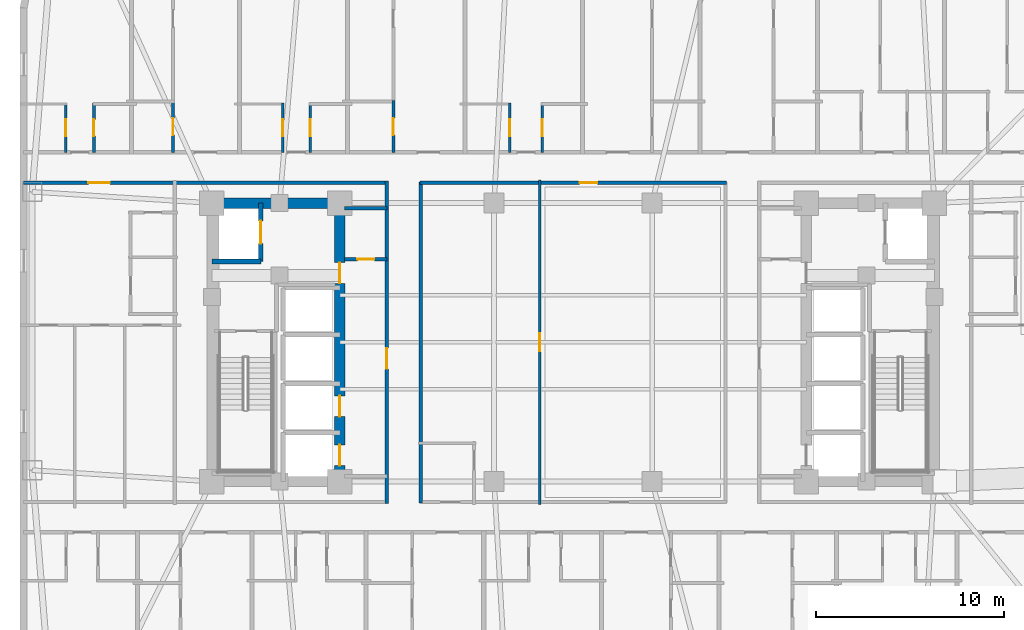
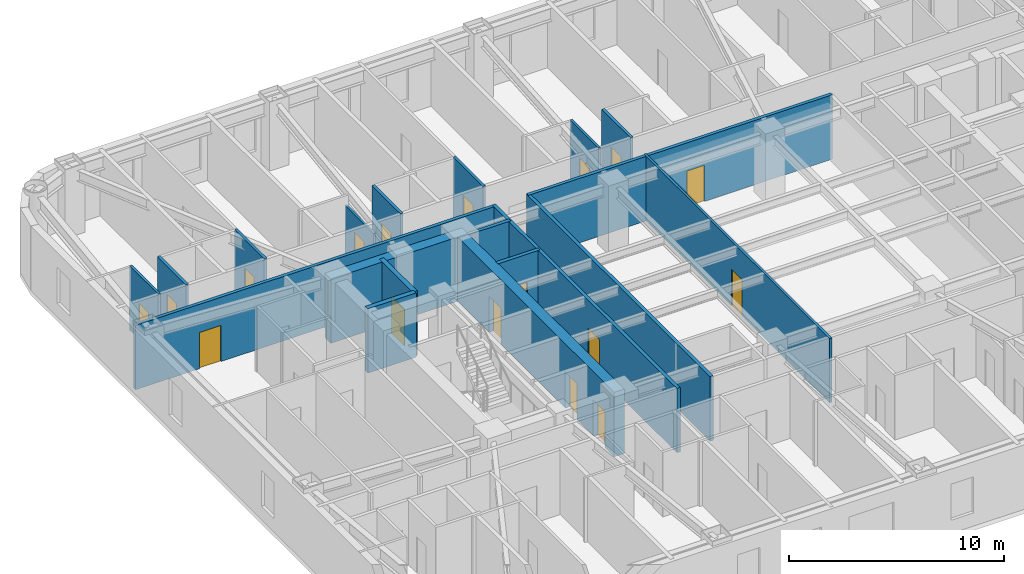
# One storey, part 5 of 13: 19 walls, 17 doors, 17 openings.
"""IFC4 building model written with IfcOpenShell, lengths in metres."""

from ifc_helpers import new_model, si_unit, direction, frame, frame_2d, origin, place, context, subcontext, project, spatial, rectangle, extrude, material, layer, layer_set, type_object, element, fill, save


model = new_model("IFC4")

# Units and contexts
model_context = context("Model", 3, precision=1e-05, world=origin(), true_north=direction((0.0, 1.0)))
body_context = subcontext(model_context, "Body", "Model", "MODEL_VIEW")
ifc_project = project(units=[si_unit("LENGTHUNIT", "METRE"), si_unit("AREAUNIT", "SQUARE_METRE"), si_unit("VOLUMEUNIT", "CUBIC_METRE"), si_unit("PLANEANGLEUNIT", "RADIAN"), si_unit("MASSUNIT", "GRAM", prefix="KILO")], contexts=[model_context])

# Site, building, storey
site_placement = place(None, origin())
site = spatial("IfcSite", under=ifc_project, at=site_placement, CompositionType="ELEMENT")
building_placement = place(site_placement, origin())
building = spatial("IfcBuilding", under=site, at=building_placement, Name="Voryun Gate Residences", CompositionType="ELEMENT")
storey_placement = place(building_placement, frame((0.0, 0.0, 124.800048828125)))
storey = spatial("IfcBuildingStorey", under=building, at=storey_placement, Name="L30", CompositionType="ELEMENT", Elevation=124.800048828125)

# Wall
ifc_material_1 = material(Name="Concrete C60/75", Category="concrete")
ifc_layer_1 = layer(ifc_material_1, 0.550048828125, Name="CW_CORE_550")
ifc_layer_set_1 = layer_set([ifc_layer_1], Name="Concrete C60/75")
wall_type_1 = type_object("IfcWallType", Name="CW_CORE_550", PredefinedType="SHEAR", material=ifc_layer_set_1)
wall_1_placement = place(storey_placement, frame((-19.47509765625, 7.39990234375, 0.0), z_axis=(0.0, 0.0, 1.0), x_axis=(1.0, 0.0, 0.0)))
element("IfcWall", 1, at=wall_1_placement, inside=storey, type_object=wall_type_1, Name="L30 Core shear wall CW-L30-WN", PredefinedType="SHEAR", context=body_context, shape_type="SweptSolid", body=[
    extrude(rectangle(XDim=7.35009765625, YDim=0.550048828125, at=frame_2d((3.675048828125, 0.0))), origin(), (0.0, 0.0, 1.0), 3.64990234375),
])

# Wall, openings, doors
wall_2_placement = place(storey_placement, frame((-12.39990234375, -7.39990234375, 0.0), z_axis=(0.0, 0.0, 1.0), x_axis=(0.0, 1.0, 0.0)))
wall_2 = element("IfcWall", 2, at=wall_2_placement, inside=storey, type_object=wall_type_1, Name="L30 Core shear wall CW-L30-WE", PredefinedType="SHEAR", context=body_context, shape_type="SweptSolid", body=[
    extrude(rectangle(XDim=14.7998046875, YDim=0.550048828125, at=frame_2d((7.39990234375, 0.0))), origin(), (0.0, 0.0, 1.0), 3.64990234375),
])
opening_1_placement = place(wall_2_placement, frame((0.85009765625, 0.0, 0.0)))
opening_1 = element("IfcOpeningElement", 3, at=opening_1_placement, cuts=wall_2, Name="Opening LD2", PredefinedType="OPENING", context=body_context, shape_type="SweptSolid", body=[
    extrude(rectangle(XDim=1.10009765625, YDim=2.050048828125, at=frame_2d((0.550048828125, 1.02490234375))), frame((0.0, 0.284912109375, 0.0), z_axis=(0.0, -1.0, 0.0), x_axis=(1.0, 0.0, 0.0)), (0.0, 0.0, 1.0), 0.570068359375),
])
opening_2_placement = place(wall_2_placement, frame((3.449951171875, 0.0, 0.0)))
opening_2 = element("IfcOpeningElement", 4, at=opening_2_placement, cuts=wall_2, Name="Opening LD2", PredefinedType="OPENING", context=body_context, shape_type="SweptSolid", body=[
    extrude(rectangle(XDim=1.10009765625, YDim=2.050048828125, at=frame_2d((0.550048828125, 1.02490234375))), frame((0.0, 0.284912109375, 0.0), z_axis=(0.0, -1.0, 0.0), x_axis=(1.0, 0.0, 0.0)), (0.0, 0.0, 1.0), 0.570068359375),
])
opening_3_placement = place(wall_2_placement, frame((10.530029296875, 0.0, 0.0)))
opening_3 = element("IfcOpeningElement", 5, at=opening_3_placement, cuts=wall_2, Name="Opening D-FD60-2", PredefinedType="OPENING", context=body_context, shape_type="SweptSolid", body=[
    extrude(rectangle(XDim=1.10009765625, YDim=2.050048828125, at=frame_2d((0.550048828125, 1.02490234375))), frame((0.0, 0.284912109375, 0.0), z_axis=(0.0, -1.0, 0.0), x_axis=(1.0, 0.0, 0.0)), (0.0, 0.0, 1.0), 0.570068359375),
])
ifc_material_2 = material(Name="Painted steel fire door", Category="steel")
door_type_1 = type_object("IfcDoorType", Name="DR_FD60_FFLOB_1100", OperationType="NOTDEFINED", PredefinedType="DOOR", material=ifc_material_2)
door_1_placement = place(opening_3_placement, origin())
door_1 = element("IfcDoor", 6, at=door_1_placement, inside=storey, type_object=door_type_1, Name="Door DR-L30-CLOB-W", OperationType="SINGLE_SWING_LEFT", OverallHeight=2.050048828125, OverallWidth=1.10009765625, PredefinedType="DOOR", context=body_context, shape_type="SweptSolid", body=[
    extrude(rectangle(XDim=1.10009765625, YDim=2.050048828125, at=frame_2d((0.550048828125, 1.02490234375))), frame((0.0, 0.02490234375, 0.0), z_axis=(0.0, -1.0, 0.0), x_axis=(1.0, 0.0, 0.0)), (0.0, 0.0, 1.0), 0.050048828125),
])
fill(opening_3, door_1)
ifc_material_3 = material(Name="Anodised aluminium", Category="aluminium")
door_type_2 = type_object("IfcDoorType", Name="DR_LD_PASS_1100", OperationType="NOTDEFINED", PredefinedType="DOOR", material=ifc_material_3)
door_2_placement = place(opening_1_placement, origin())
door_2 = element("IfcDoor", 7, at=door_2_placement, inside=storey, type_object=door_type_2, Name="Lift EL-P1 sliding landing door L30", OperationType="SLIDING_TO_LEFT", OverallHeight=2.050048828125, OverallWidth=1.10009765625, PredefinedType="DOOR", context=body_context, shape_type="SweptSolid", body=[
    extrude(rectangle(XDim=1.10009765625, YDim=2.050048828125, at=frame_2d((0.550048828125, 1.02490234375))), frame((0.0, 0.02490234375, 0.0), z_axis=(0.0, -1.0, 0.0), x_axis=(1.0, 0.0, 0.0)), (0.0, 0.0, 1.0), 0.050048828125),
])
fill(opening_1, door_2)
door_3_placement = place(opening_2_placement, origin())
door_3 = element("IfcDoor", 8, at=door_3_placement, inside=storey, type_object=door_type_2, Name="Lift EL-P2 sliding landing door L30", OperationType="SLIDING_TO_LEFT", OverallHeight=2.050048828125, OverallWidth=1.10009765625, PredefinedType="DOOR", context=body_context, shape_type="SweptSolid", body=[
    extrude(rectangle(XDim=1.10009765625, YDim=2.050048828125, at=frame_2d((0.550048828125, 1.02490234375))), frame((0.0, 0.02490234375, 0.0), z_axis=(0.0, -1.0, 0.0), x_axis=(1.0, 0.0, 0.0)), (0.0, 0.0, 1.0), 0.050048828125),
])
fill(opening_2, door_3)

# Wall
ifc_material_4 = material(Name="Gypsum acoustic fireboard")
ifc_layer_2 = layer(ifc_material_4, 0.179931640625, Name="W_CORR_RATED_180")
ifc_layer_set_2 = layer_set([ifc_layer_2], Name="Gypsum acoustic fireboard")
wall_type_2 = type_object("IfcWallType", Name="W_CORR_RATED_180", PredefinedType="PARTITIONING", material=ifc_layer_set_2)
wall_3_placement = place(storey_placement, frame((-12.14990234375, 7.1201171875, 0.0), z_axis=(0.0, 0.0, 1.0), x_axis=(1.0, 0.0, 0.0)))
element("IfcWall", 9, at=wall_3_placement, inside=storey, type_object=wall_type_2, Name="Partition wall WP-L30-PLBN-W", PredefinedType="PARTITIONING", context=body_context, shape_type="SweptSolid", body=[
    extrude(rectangle(XDim=2.27001953125, YDim=0.179931640625, at=frame_2d((1.135009765625, 0.0))), origin(), (0.0, 0.0, 1.0), 3.64990234375),
])

# Wall, opening, door
wall_4_placement = place(storey_placement, frame((-9.89990234375, -8.580078125, 0.0), z_axis=(0.0, 0.0, 1.0), x_axis=(0.0, 1.0, 0.0)))
wall_4 = element("IfcWall", 10, at=wall_4_placement, inside=storey, type_object=wall_type_2, Name="Partition wall WP-L30-PLBW-FULL", PredefinedType="PARTITIONING", context=body_context, shape_type="SweptSolid", body=[
    extrude(rectangle(XDim=17.16015625, YDim=0.179931640625, at=frame_2d((8.580078125, 0.0))), origin(), (0.0, 0.0, 1.0), 3.64990234375),
])
opening_4_placement = place(wall_4_placement, frame((7.172119140625, 0.0, 0.0)))
opening_4 = element("IfcOpeningElement", 11, at=opening_4_placement, cuts=wall_4, Name="Opening D-FD60-2", PredefinedType="OPENING", context=body_context, shape_type="SweptSolid", body=[
    extrude(rectangle(XDim=1.10009765625, YDim=2.050048828125, at=frame_2d((0.550048828125, 1.02490234375))), frame((0.0, 0.099853515625, 0.0), z_axis=(0.0, -1.0, 0.0), x_axis=(1.0, 0.0, 0.0)), (0.0, 0.0, 1.0), 0.199951171875),
])
door_4_placement = place(opening_4_placement, origin())
door_4 = element("IfcDoor", 12, at=door_4_placement, inside=storey, type_object=door_type_1, Name="Door DR-L30-PLBW-COR", OperationType="SINGLE_SWING_LEFT", OverallHeight=2.050048828125, OverallWidth=1.10009765625, PredefinedType="DOOR", context=body_context, shape_type="SweptSolid", body=[
    extrude(rectangle(XDim=1.10009765625, YDim=2.050048828125, at=frame_2d((0.550048828125, 1.02490234375))), frame((0.0, 0.02490234375, 0.0), z_axis=(0.0, -1.0, 0.0), x_axis=(1.0, 0.0, 0.0)), (0.0, 0.0, 1.0), 0.050048828125),
])
fill(opening_4, door_4)

wall_5_placement = place(storey_placement, frame((-29.2099609375, 8.489990234375, 0.0), z_axis=(0.0, 0.0, 1.0), x_axis=(1.0, 0.0, 0.0)))
wall_5 = element("IfcWall", 13, at=wall_5_placement, inside=storey, type_object=wall_type_2, Name="Partition wall WP-L30-CWING-WN", PredefinedType="PARTITIONING", context=body_context, shape_type="SweptSolid", body=[
    extrude(rectangle(XDim=19.330078125, YDim=0.179931640625, at=frame_2d((9.6650390625, 0.0))), origin(), (0.0, 0.0, 1.0), 3.64990234375),
])
opening_5_placement = place(wall_5_placement, frame((3.439697265625, 0.0, 0.0)))
opening_5 = element("IfcOpeningElement", 14, at=opening_5_placement, cuts=wall_5, Name="Opening D-UNIT-1", PredefinedType="OPENING", context=body_context, shape_type="SweptSolid", body=[
    extrude(rectangle(XDim=1.14990234375, YDim=2.050048828125, at=frame_2d((0.574951171875, 1.02490234375))), frame((0.0, 0.099853515625, 0.0), z_axis=(0.0, -1.0, 0.0), x_axis=(1.0, 0.0, 0.0)), (0.0, 0.0, 1.0), 0.199951171875),
])
ifc_material_5 = material(Name="Armoured timber-clad fire door", Category="wood")
door_type_3 = type_object("IfcDoorType", Name="DR_UNIT_ENTRY_1150", OperationType="NOTDEFINED", PredefinedType="DOOR", material=ifc_material_5)
door_5_placement = place(opening_5_placement, origin())
door_5 = element("IfcDoor", 15, at=door_5_placement, inside=storey, type_object=door_type_3, Name="Door DR-L30-WE1N", OperationType="SINGLE_SWING_LEFT", OverallHeight=2.050048828125, OverallWidth=1.14990234375, PredefinedType="DOOR", context=body_context, shape_type="SweptSolid", body=[
    extrude(rectangle(XDim=1.14990234375, YDim=2.050048828125, at=frame_2d((0.574951171875, 1.02490234375))), frame((0.0, 0.02490234375, 0.0), z_axis=(0.0, -1.0, 0.0), x_axis=(1.0, 0.0, 0.0)), (0.0, 0.0, 1.0), 0.050048828125),
])
fill(opening_5, door_5)

wall_6_placement = place(storey_placement, frame((-8.14990234375, 8.489990234375, 0.0), z_axis=(0.0, 0.0, 1.0), x_axis=(1.0, 0.0, 0.0)))
wall_6 = element("IfcWall", 16, at=wall_6_placement, inside=storey, type_object=wall_type_2, Name="Partition wall WP-L30-Z1N", PredefinedType="PARTITIONING", context=body_context, shape_type="SweptSolid", body=[
    extrude(rectangle(XDim=16.2998046875, YDim=0.179931640625, at=frame_2d((8.14990234375, 0.0))), origin(), (0.0, 0.0, 1.0), 3.64990234375),
])
opening_6_placement = place(wall_6_placement, frame((8.489990234375, 0.0, 0.0)))
opening_6 = element("IfcOpeningElement", 17, at=opening_6_placement, cuts=wall_6, Name="Opening D-INT-1", PredefinedType="OPENING", context=body_context, shape_type="SweptSolid", body=[
    extrude(rectangle(XDim=0.949951171875, YDim=2.050048828125, at=frame_2d((0.47509765625, 1.02490234375))), frame((0.0, 0.099853515625, 0.0), z_axis=(0.0, -1.0, 0.0), x_axis=(1.0, 0.0, 0.0)), (0.0, 0.0, 1.0), 0.199951171875),
])
ifc_material_6 = material(Name="Architectural oak veneer")
door_type_4 = type_object("IfcDoorType", Name="DR_INT_ROOM_950", OperationType="NOTDEFINED", PredefinedType="DOOR", material=ifc_material_6)
door_6_placement = place(opening_6_placement, origin())
door_6 = element("IfcDoor", 18, at=door_6_placement, inside=storey, type_object=door_type_4, Name="Door DR-L30-CMIDZ1N", OperationType="SINGLE_SWING_LEFT", OverallHeight=2.050048828125, OverallWidth=0.949951171875, PredefinedType="DOOR", context=body_context, shape_type="SweptSolid", body=[
    extrude(rectangle(XDim=0.949951171875, YDim=2.050048828125, at=frame_2d((0.47509765625, 1.02490234375))), frame((0.0, 0.02490234375, 0.0), z_axis=(0.0, -1.0, 0.0), x_axis=(1.0, 0.0, 0.0)), (0.0, 0.0, 1.0), 0.050048828125),
])
fill(opening_6, door_6)

# Wall
wall_7_placement = place(storey_placement, frame((-8.10009765625, -8.530029296875, 0.0), z_axis=(0.0, 0.0, 1.0), x_axis=(0.0, 1.0, 0.0)))
element("IfcWall", 19, at=wall_7_placement, inside=storey, type_object=wall_type_2, Name="Partition wall WP-L30-Z1W", PredefinedType="PARTITIONING", context=body_context, shape_type="SweptSolid", body=[
    extrude(rectangle(XDim=17.06005859375, YDim=0.179931640625, at=frame_2d((8.530029296875, 0.0))), origin(), (0.0, 0.0, 1.0), 3.64990234375),
])

# Wall, opening, door
ifc_material_7 = material(Name="Concrete C40/50", Category="concrete")
ifc_layer_3 = layer(ifc_material_7, 0.199951171875, Name="W_FF_LOBBY_200")
ifc_layer_set_3 = layer_set([ifc_layer_3], Name="Concrete C40/50")
wall_type_3 = type_object("IfcWallType", Name="W_FF_LOBBY_200", PredefinedType="PARTITIONING", material=ifc_layer_set_3)
wall_8_placement = place(storey_placement, frame((-12.14990234375, 4.409912109375, 0.0), z_axis=(0.0, 0.0, 1.0), x_axis=(1.0, 0.0, 0.0)))
wall_8 = element("IfcWall", 20, at=wall_8_placement, inside=storey, type_object=wall_type_3, Name="Partition wall WP-L30-CSFLKS-W", PredefinedType="PARTITIONING", context=body_context, shape_type="SweptSolid", body=[
    extrude(rectangle(XDim=2.27001953125, YDim=0.199951171875, at=frame_2d((1.135009765625, 0.0))), origin(), (0.0, 0.0, 1.0), 3.64990234375),
])
opening_7_placement = place(wall_8_placement, frame((0.68505859375, 0.0, 0.0)))
opening_7 = element("IfcOpeningElement", 21, at=opening_7_placement, cuts=wall_8, Name="Opening D-FD60-4", PredefinedType="OPENING", context=body_context, shape_type="SweptSolid", body=[
    extrude(rectangle(XDim=0.89990234375, YDim=2.050048828125, at=frame_2d((0.449951171875, 1.02490234375))), frame((0.0, 0.110107421875, 0.0), z_axis=(0.0, -1.0, 0.0), x_axis=(1.0, 0.0, 0.0)), (0.0, 0.0, 1.0), 0.219970703125),
])
ifc_material_8 = material(Name="Painted steel fire door", Category="steel")
door_type_5 = type_object("IfcDoorType", Name="DR_FD60_RISER_900", OperationType="NOTDEFINED", PredefinedType="DOOR", material=ifc_material_8)
door_7_placement = place(opening_7_placement, origin())
door_7 = element("IfcDoor", 22, at=door_7_placement, inside=storey, type_object=door_type_5, Name="Door DR-L30-CSFLK-W", OperationType="SINGLE_SWING_LEFT", OverallHeight=2.050048828125, OverallWidth=0.89990234375, PredefinedType="DOOR", context=body_context, shape_type="SweptSolid", body=[
    extrude(rectangle(XDim=0.89990234375, YDim=2.050048828125, at=frame_2d((0.449951171875, 1.02490234375))), frame((0.0, 0.02490234375, 0.0), z_axis=(0.0, -1.0, 0.0), x_axis=(1.0, 0.0, 0.0)), (0.0, 0.0, 1.0), 0.050048828125),
])
fill(opening_7, door_7)

# Wall
ifc_material_9 = material(Name="Concrete C50/60", Category="concrete")
ifc_layer_4 = layer(ifc_material_9, 0.25, Name="W_SHAFT_RC250")
ifc_layer_set_4 = layer_set([ifc_layer_4], Name="Concrete C50/60")
wall_type_4 = type_object("IfcWallType", Name="W_SHAFT_RC250", PredefinedType="SOLIDWALL", material=ifc_layer_set_4)
wall_9_placement = place(storey_placement, frame((-19.199951171875, 4.300048828125, 0.0), z_axis=(0.0, 0.0, 1.0), x_axis=(1.0, 0.0, 0.0)))
element("IfcWall", 23, at=wall_9_placement, inside=storey, type_object=wall_type_4, Name="Lift shaft wall WSH-L30-EL-FF-W1-S", PredefinedType="SOLIDWALL", context=body_context, shape_type="SweptSolid", body=[
    extrude(rectangle(XDim=2.599853515625, YDim=0.25, at=frame_2d((1.2998046875, 0.0))), origin(), (0.0, 0.0, 1.0), 3.64990234375),
])

# Wall, opening, door
wall_10_placement = place(storey_placement, frame((-16.60009765625, 4.300048828125, 0.0), z_axis=(0.0, 0.0, 1.0), x_axis=(0.0, 1.0, 0.0)))
wall_10 = element("IfcWall", 24, at=wall_10_placement, inside=storey, type_object=wall_type_4, Name="Lift shaft wall WSH-L30-EL-FF-W1-E", PredefinedType="SOLIDWALL", context=body_context, shape_type="SweptSolid", body=[
    extrude(rectangle(XDim=3.099853515625, YDim=0.25, at=frame_2d((1.5498046875, 0.0))), origin(), (0.0, 0.0, 1.0), 3.64990234375),
])
opening_8_placement = place(wall_10_placement, frame((0.949951171875, 0.0, 0.0)))
opening_8 = element("IfcOpeningElement", 25, at=opening_8_placement, cuts=wall_10, Name="Opening LD1", PredefinedType="OPENING", context=body_context, shape_type="SweptSolid", body=[
    extrude(rectangle(XDim=1.199951171875, YDim=2.050048828125, at=frame_2d((0.60009765625, 1.02490234375))), frame((0.0, 0.135009765625, 0.0), z_axis=(0.0, -1.0, 0.0), x_axis=(1.0, 0.0, 0.0)), (0.0, 0.0, 1.0), 0.27001953125),
])
ifc_material_10 = material(Name="Anodised aluminium", Category="aluminium")
door_type_6 = type_object("IfcDoorType", Name="DR_LD_FF_1200", OperationType="NOTDEFINED", PredefinedType="DOOR", material=ifc_material_10)
door_8_placement = place(opening_8_placement, origin())
door_8 = element("IfcDoor", 26, at=door_8_placement, inside=storey, type_object=door_type_6, Name="Lift EL-FF-W1 sliding landing door L30", OperationType="SLIDING_TO_LEFT", OverallHeight=2.050048828125, OverallWidth=1.199951171875, PredefinedType="DOOR", context=body_context, shape_type="SweptSolid", body=[
    extrude(rectangle(XDim=1.199951171875, YDim=2.050048828125, at=frame_2d((0.60009765625, 1.02490234375))), frame((0.0, 0.02490234375, 0.0), z_axis=(0.0, -1.0, 0.0), x_axis=(1.0, 0.0, 0.0)), (0.0, 0.0, 1.0), 0.050048828125),
])
fill(opening_8, door_8)

ifc_material_11 = material(Name="Gypsum acoustic partition")
ifc_layer_5 = layer(ifc_material_11, 0.125, Name="W_UNIT_PART_125")
ifc_layer_set_5 = layer_set([ifc_layer_5], Name="Gypsum acoustic partition")
wall_type_5 = type_object("IfcWallType", Name="W_UNIT_PART_125", PredefinedType="PARTITIONING", material=ifc_layer_set_5)
wall_11_placement = place(storey_placement, frame((-1.77294921875, -8.6201171875, 0.0), z_axis=(0.0, 0.0, 1.0), x_axis=(0.0, 1.0, 0.0)))
wall_11 = element("IfcWall", 27, at=wall_11_placement, inside=storey, type_object=wall_type_5, Name="Partition wall WP-L30-MIDX-0", PredefinedType="PARTITIONING", context=body_context, shape_type="SweptSolid", body=[
    extrude(rectangle(XDim=17.240234375, YDim=0.125, at=frame_2d((8.6201171875, 0.0))), origin(), (0.0, 0.0, 1.0), 3.64990234375),
])
opening_9_placement = place(wall_11_placement, frame((8.14501953125, 0.0, 0.0)))
opening_9 = element("IfcOpeningElement", 28, at=opening_9_placement, cuts=wall_11, Name="Opening D-INT-1", PredefinedType="OPENING", context=body_context, shape_type="SweptSolid", body=[
    extrude(rectangle(XDim=0.949951171875, YDim=2.050048828125, at=frame_2d((0.47509765625, 1.02490234375))), frame((0.0, 0.072509765625, 0.0), z_axis=(0.0, -1.0, 0.0), x_axis=(1.0, 0.0, 0.0)), (0.0, 0.0, 1.0), 0.14501953125),
])
door_9_placement = place(opening_9_placement, origin())
door_9 = element("IfcDoor", 29, at=door_9_placement, inside=storey, type_object=door_type_4, Name="Door DR-L30-MIDX-0", OperationType="SINGLE_SWING_LEFT", OverallHeight=2.050048828125, OverallWidth=0.949951171875, PredefinedType="DOOR", context=body_context, shape_type="SweptSolid", body=[
    extrude(rectangle(XDim=0.949951171875, YDim=2.050048828125, at=frame_2d((0.47509765625, 1.02490234375))), frame((0.0, 0.02490234375, 0.0), z_axis=(0.0, -1.0, 0.0), x_axis=(1.0, 0.0, 0.0)), (0.0, 0.0, 1.0), 0.050048828125),
])
fill(opening_9, door_9)

wall_12_placement = place(storey_placement, frame((-26.968017578125, 10.080078125, 0.0), z_axis=(0.0, 0.0, 1.0), x_axis=(0.0, 1.0, 0.0)))
wall_12 = element("IfcWall", 30, at=wall_12_placement, inside=storey, type_object=wall_type_5, Name="Partition wall WP-L30-N1-CVK", PredefinedType="PARTITIONING", context=body_context, shape_type="SweptSolid", body=[
    extrude(rectangle(XDim=2.64990234375, YDim=0.125, at=frame_2d((1.324951171875, 0.0))), origin(), (0.0, 0.0, 1.0), 3.64990234375),
])
opening_10_placement = place(wall_12_placement, frame((0.875, 0.0, 0.0)))
opening_10 = element("IfcOpeningElement", 31, at=opening_10_placement, cuts=wall_12, Name="Opening D-INT-2", PredefinedType="OPENING", context=body_context, shape_type="SweptSolid", body=[
    extrude(rectangle(XDim=0.89990234375, YDim=2.050048828125, at=frame_2d((0.449951171875, 1.02490234375))), frame((0.0, 0.072509765625, 0.0), z_axis=(0.0, -1.0, 0.0), x_axis=(1.0, 0.0, 0.0)), (0.0, 0.0, 1.0), 0.14501953125),
])
ifc_material_12 = material(Name="Architectural oak veneer")
door_type_7 = type_object("IfcDoorType", Name="DR_INT_BATH_900", OperationType="NOTDEFINED", PredefinedType="DOOR", material=ifc_material_12)
door_10_placement = place(opening_10_placement, origin())
door_10 = element("IfcDoor", 32, at=door_10_placement, inside=storey, type_object=door_type_7, Name="Door DR-L30-N1-DK", OperationType="SINGLE_SWING_LEFT", OverallHeight=2.050048828125, OverallWidth=0.89990234375, PredefinedType="DOOR", context=body_context, shape_type="SweptSolid", body=[
    extrude(rectangle(XDim=0.89990234375, YDim=2.050048828125, at=frame_2d((0.449951171875, 1.02490234375))), frame((0.0, 0.02490234375, 0.0), z_axis=(0.0, -1.0, 0.0), x_axis=(1.0, 0.0, 0.0)), (0.0, 0.0, 1.0), 0.050048828125),
])
fill(opening_10, door_10)

wall_13_placement = place(storey_placement, frame((-15.428955078125, 10.080078125, 0.0), z_axis=(0.0, 0.0, 1.0), x_axis=(0.0, 1.0, 0.0)))
wall_13 = element("IfcWall", 33, at=wall_13_placement, inside=storey, type_object=wall_type_5, Name="Partition wall WP-L30-N3-CVK", PredefinedType="PARTITIONING", context=body_context, shape_type="SweptSolid", body=[
    extrude(rectangle(XDim=2.64990234375, YDim=0.125, at=frame_2d((1.324951171875, 0.0))), origin(), (0.0, 0.0, 1.0), 3.0400390625),
])
opening_11_placement = place(wall_13_placement, frame((0.875, 0.0, 0.0)))
opening_11 = element("IfcOpeningElement", 34, at=opening_11_placement, cuts=wall_13, Name="Opening D-INT-2", PredefinedType="OPENING", context=body_context, shape_type="SweptSolid", body=[
    extrude(rectangle(XDim=0.89990234375, YDim=2.050048828125, at=frame_2d((0.449951171875, 1.02490234375))), frame((0.0, 0.072509765625, 0.0), z_axis=(0.0, -1.0, 0.0), x_axis=(1.0, 0.0, 0.0)), (0.0, 0.0, 1.0), 0.14501953125),
])
door_11_placement = place(opening_11_placement, origin())
door_11 = element("IfcDoor", 35, at=door_11_placement, inside=storey, type_object=door_type_7, Name="Door DR-L30-N3-DK", OperationType="SINGLE_SWING_LEFT", OverallHeight=2.050048828125, OverallWidth=0.89990234375, PredefinedType="DOOR", context=body_context, shape_type="SweptSolid", body=[
    extrude(rectangle(XDim=0.89990234375, YDim=2.050048828125, at=frame_2d((0.449951171875, 1.02490234375))), frame((0.0, 0.02490234375, 0.0), z_axis=(0.0, -1.0, 0.0), x_axis=(1.0, 0.0, 0.0)), (0.0, 0.0, 1.0), 0.050048828125),
])
fill(opening_11, door_11)

wall_14_placement = place(storey_placement, frame((-3.361083984375, 10.080078125, 0.0), z_axis=(0.0, 0.0, 1.0), x_axis=(0.0, 1.0, 0.0)))
wall_14 = element("IfcWall", 36, at=wall_14_placement, inside=storey, type_object=wall_type_5, Name="Partition wall WP-L30-N5-CVK", PredefinedType="PARTITIONING", context=body_context, shape_type="SweptSolid", body=[
    extrude(rectangle(XDim=2.64990234375, YDim=0.125, at=frame_2d((1.324951171875, 0.0))), origin(), (0.0, 0.0, 1.0), 3.64990234375),
])
opening_12_placement = place(wall_14_placement, frame((0.875, 0.0, 0.0)))
opening_12 = element("IfcOpeningElement", 37, at=opening_12_placement, cuts=wall_14, Name="Opening D-INT-2", PredefinedType="OPENING", context=body_context, shape_type="SweptSolid", body=[
    extrude(rectangle(XDim=0.89990234375, YDim=2.050048828125, at=frame_2d((0.449951171875, 1.02490234375))), frame((0.0, 0.072509765625, 0.0), z_axis=(0.0, -1.0, 0.0), x_axis=(1.0, 0.0, 0.0)), (0.0, 0.0, 1.0), 0.14501953125),
])
door_12_placement = place(opening_12_placement, origin())
door_12 = element("IfcDoor", 38, at=door_12_placement, inside=storey, type_object=door_type_7, Name="Door DR-L30-N5-DK", OperationType="SINGLE_SWING_LEFT", OverallHeight=2.050048828125, OverallWidth=0.89990234375, PredefinedType="DOOR", context=body_context, shape_type="SweptSolid", body=[
    extrude(rectangle(XDim=0.89990234375, YDim=2.050048828125, at=frame_2d((0.449951171875, 1.02490234375))), frame((0.0, 0.02490234375, 0.0), z_axis=(0.0, -1.0, 0.0), x_axis=(1.0, 0.0, 0.0)), (0.0, 0.0, 1.0), 0.050048828125),
])
fill(opening_12, door_12)

ifc_material_13 = material(Name="Gypsum moisture-resistant partition")
ifc_layer_6 = layer(ifc_material_13, 0.14990234375, Name="W_WET_PLUMB_150")
ifc_layer_set_6 = layer_set([ifc_layer_6], Name="Gypsum moisture-resistant partition")
wall_type_6 = type_object("IfcWallType", Name="W_WET_PLUMB_150", PredefinedType="PLUMBINGWALL", material=ifc_layer_set_6)
wall_15_placement = place(storey_placement, frame((-25.468994140625, 10.080078125, 0.0), z_axis=(0.0, 0.0, 1.0), x_axis=(0.0, 1.0, 0.0)))
wall_15 = element("IfcWall", 39, at=wall_15_placement, inside=storey, type_object=wall_type_6, Name="Partition wall WP-L30-N1-CVB", PredefinedType="PLUMBINGWALL", context=body_context, shape_type="SweptSolid", body=[
    extrude(rectangle(XDim=2.64990234375, YDim=0.14990234375, at=frame_2d((1.324951171875, 0.0))), origin(), (0.0, 0.0, 1.0), 3.64990234375),
])
opening_13_placement = place(wall_15_placement, frame((0.875, 0.0, 0.0)))
opening_13 = element("IfcOpeningElement", 40, at=opening_13_placement, cuts=wall_15, Name="Opening D-INT-2", PredefinedType="OPENING", context=body_context, shape_type="SweptSolid", body=[
    extrude(rectangle(XDim=0.89990234375, YDim=2.050048828125, at=frame_2d((0.449951171875, 1.02490234375))), frame((0.0, 0.0849609375, 0.0), z_axis=(0.0, -1.0, 0.0), x_axis=(1.0, 0.0, 0.0)), (0.0, 0.0, 1.0), 0.169921875),
])
door_13_placement = place(opening_13_placement, origin())
door_13 = element("IfcDoor", 41, at=door_13_placement, inside=storey, type_object=door_type_7, Name="Door DR-L30-N1-DB", OperationType="SINGLE_SWING_RIGHT", OverallHeight=2.050048828125, OverallWidth=0.89990234375, PredefinedType="DOOR", context=body_context, shape_type="SweptSolid", body=[
    extrude(rectangle(XDim=0.89990234375, YDim=2.050048828125, at=frame_2d((0.449951171875, 1.02490234375))), frame((0.0, 0.02490234375, 0.0), z_axis=(0.0, -1.0, 0.0), x_axis=(1.0, 0.0, 0.0)), (0.0, 0.0, 1.0), 0.050048828125),
])
fill(opening_13, door_13)

wall_16_placement = place(storey_placement, frame((-21.26806640625, 10.080078125, 0.0), z_axis=(0.0, 0.0, 1.0), x_axis=(0.0, 1.0, 0.0)))
wall_16 = element("IfcWall", 42, at=wall_16_placement, inside=storey, type_object=wall_type_6, Name="Partition wall WP-L30-N2-SVT1", PredefinedType="PLUMBINGWALL", context=body_context, shape_type="SweptSolid", body=[
    extrude(rectangle(XDim=2.760009765625, YDim=0.14990234375, at=frame_2d((1.3798828125, 0.0))), origin(), (0.0, 0.0, 1.0), 3.64990234375),
])
opening_14_placement = place(wall_16_placement, frame((0.929931640625, 0.0, 0.0)))
opening_14 = element("IfcOpeningElement", 43, at=opening_14_placement, cuts=wall_16, Name="Opening D-INT-2", PredefinedType="OPENING", context=body_context, shape_type="SweptSolid", body=[
    extrude(rectangle(XDim=0.89990234375, YDim=2.050048828125, at=frame_2d((0.449951171875, 1.02490234375))), frame((0.0, 0.0849609375, 0.0), z_axis=(0.0, -1.0, 0.0), x_axis=(1.0, 0.0, 0.0)), (0.0, 0.0, 1.0), 0.169921875),
])
door_14_placement = place(opening_14_placement, origin())
door_14 = element("IfcDoor", 44, at=door_14_placement, inside=storey, type_object=door_type_7, Name="Door DR-L30-N2-DB", OperationType="SINGLE_SWING_LEFT", OverallHeight=2.050048828125, OverallWidth=0.89990234375, PredefinedType="DOOR", context=body_context, shape_type="SweptSolid", body=[
    extrude(rectangle(XDim=0.89990234375, YDim=2.050048828125, at=frame_2d((0.449951171875, 1.02490234375))), frame((0.0, 0.02490234375, 0.0), z_axis=(0.0, -1.0, 0.0), x_axis=(1.0, 0.0, 0.0)), (0.0, 0.0, 1.0), 0.050048828125),
])
fill(opening_14, door_14)

wall_17_placement = place(storey_placement, frame((-13.969970703125, 10.080078125, 0.0), z_axis=(0.0, 0.0, 1.0), x_axis=(0.0, 1.0, 0.0)))
wall_17 = element("IfcWall", 45, at=wall_17_placement, inside=storey, type_object=wall_type_6, Name="Partition wall WP-L30-N3-CVB", PredefinedType="PLUMBINGWALL", context=body_context, shape_type="SweptSolid", body=[
    extrude(rectangle(XDim=2.64990234375, YDim=0.14990234375, at=frame_2d((1.324951171875, 0.0))), origin(), (0.0, 0.0, 1.0), 3.64990234375),
])
opening_15_placement = place(wall_17_placement, frame((0.875, 0.0, 0.0)))
opening_15 = element("IfcOpeningElement", 46, at=opening_15_placement, cuts=wall_17, Name="Opening D-INT-2", PredefinedType="OPENING", context=body_context, shape_type="SweptSolid", body=[
    extrude(rectangle(XDim=0.89990234375, YDim=2.050048828125, at=frame_2d((0.449951171875, 1.02490234375))), frame((0.0, 0.0849609375, 0.0), z_axis=(0.0, -1.0, 0.0), x_axis=(1.0, 0.0, 0.0)), (0.0, 0.0, 1.0), 0.169921875),
])
door_15_placement = place(opening_15_placement, origin())
door_15 = element("IfcDoor", 47, at=door_15_placement, inside=storey, type_object=door_type_7, Name="Door DR-L30-N3-DB", OperationType="SINGLE_SWING_RIGHT", OverallHeight=2.050048828125, OverallWidth=0.89990234375, PredefinedType="DOOR", context=body_context, shape_type="SweptSolid", body=[
    extrude(rectangle(XDim=0.89990234375, YDim=2.050048828125, at=frame_2d((0.449951171875, 1.02490234375))), frame((0.0, 0.02490234375, 0.0), z_axis=(0.0, -1.0, 0.0), x_axis=(1.0, 0.0, 0.0)), (0.0, 0.0, 1.0), 0.050048828125),
])
fill(opening_15, door_15)

wall_18_placement = place(storey_placement, frame((-9.549072265625, 10.080078125, 0.0), z_axis=(0.0, 0.0, 1.0), x_axis=(0.0, 1.0, 0.0)))
wall_18 = element("IfcWall", 48, at=wall_18_placement, inside=storey, type_object=wall_type_6, Name="Partition wall WP-L30-N4-SVT1", PredefinedType="PLUMBINGWALL", context=body_context, shape_type="SweptSolid", body=[
    extrude(rectangle(XDim=2.760009765625, YDim=0.14990234375, at=frame_2d((1.3798828125, 0.0))), origin(), (0.0, 0.0, 1.0), 3.64990234375),
])
opening_16_placement = place(wall_18_placement, frame((0.929931640625, 0.0, 0.0)))
opening_16 = element("IfcOpeningElement", 49, at=opening_16_placement, cuts=wall_18, Name="Opening D-INT-2", PredefinedType="OPENING", context=body_context, shape_type="SweptSolid", body=[
    extrude(rectangle(XDim=0.89990234375, YDim=2.050048828125, at=frame_2d((0.449951171875, 1.02490234375))), frame((0.0, 0.0849609375, 0.0), z_axis=(0.0, -1.0, 0.0), x_axis=(1.0, 0.0, 0.0)), (0.0, 0.0, 1.0), 0.169921875),
])
door_16_placement = place(opening_16_placement, origin())
door_16 = element("IfcDoor", 50, at=door_16_placement, inside=storey, type_object=door_type_7, Name="Door DR-L30-N4-DB", OperationType="SINGLE_SWING_LEFT", OverallHeight=2.050048828125, OverallWidth=0.89990234375, PredefinedType="DOOR", context=body_context, shape_type="SweptSolid", body=[
    extrude(rectangle(XDim=0.89990234375, YDim=2.050048828125, at=frame_2d((0.449951171875, 1.02490234375))), frame((0.0, 0.02490234375, 0.0), z_axis=(0.0, -1.0, 0.0), x_axis=(1.0, 0.0, 0.0)), (0.0, 0.0, 1.0), 0.050048828125),
])
fill(opening_16, door_16)

wall_19_placement = place(storey_placement, frame((-1.64404296875, 10.080078125, 0.0), z_axis=(0.0, 0.0, 1.0), x_axis=(0.0, 1.0, 0.0)))
wall_19 = element("IfcWall", 51, at=wall_19_placement, inside=storey, type_object=wall_type_6, Name="Partition wall WP-L30-N5-CVB", PredefinedType="PLUMBINGWALL", context=body_context, shape_type="SweptSolid", body=[
    extrude(rectangle(XDim=2.64990234375, YDim=0.14990234375, at=frame_2d((1.324951171875, 0.0))), origin(), (0.0, 0.0, 1.0), 3.64990234375),
])
opening_17_placement = place(wall_19_placement, frame((0.875, 0.0, 0.0)))
opening_17 = element("IfcOpeningElement", 52, at=opening_17_placement, cuts=wall_19, Name="Opening D-INT-2", PredefinedType="OPENING", context=body_context, shape_type="SweptSolid", body=[
    extrude(rectangle(XDim=0.89990234375, YDim=2.050048828125, at=frame_2d((0.449951171875, 1.02490234375))), frame((0.0, 0.0849609375, 0.0), z_axis=(0.0, -1.0, 0.0), x_axis=(1.0, 0.0, 0.0)), (0.0, 0.0, 1.0), 0.169921875),
])
door_17_placement = place(opening_17_placement, origin())
door_17 = element("IfcDoor", 53, at=door_17_placement, inside=storey, type_object=door_type_7, Name="Door DR-L30-N5-DB", OperationType="SINGLE_SWING_RIGHT", OverallHeight=2.050048828125, OverallWidth=0.89990234375, PredefinedType="DOOR", context=body_context, shape_type="SweptSolid", body=[
    extrude(rectangle(XDim=0.89990234375, YDim=2.050048828125, at=frame_2d((0.449951171875, 1.02490234375))), frame((0.0, 0.02490234375, 0.0), z_axis=(0.0, -1.0, 0.0), x_axis=(1.0, 0.0, 0.0)), (0.0, 0.0, 1.0), 0.050048828125),
])
fill(opening_17, door_17)

save(model, "model.ifc")
